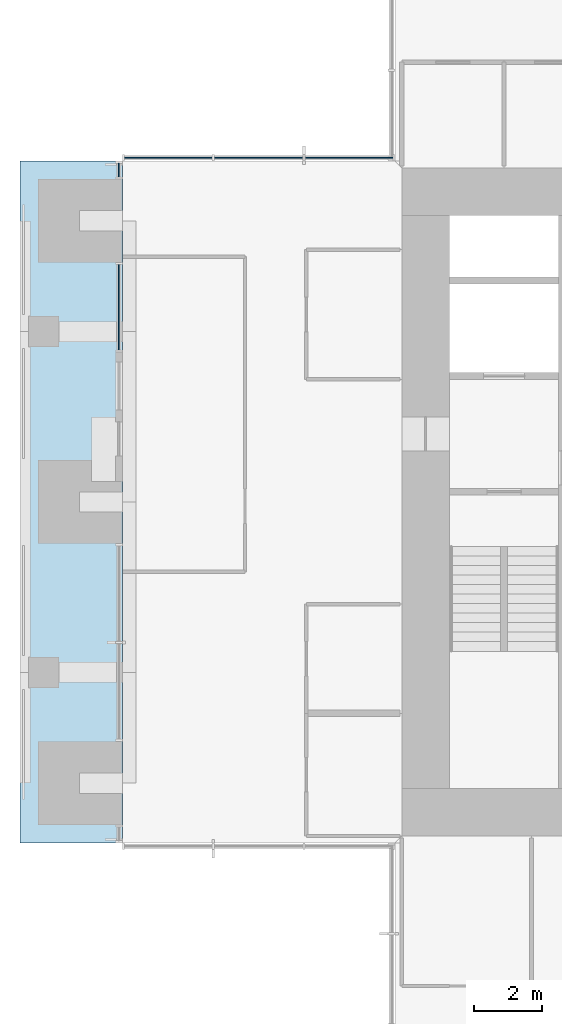
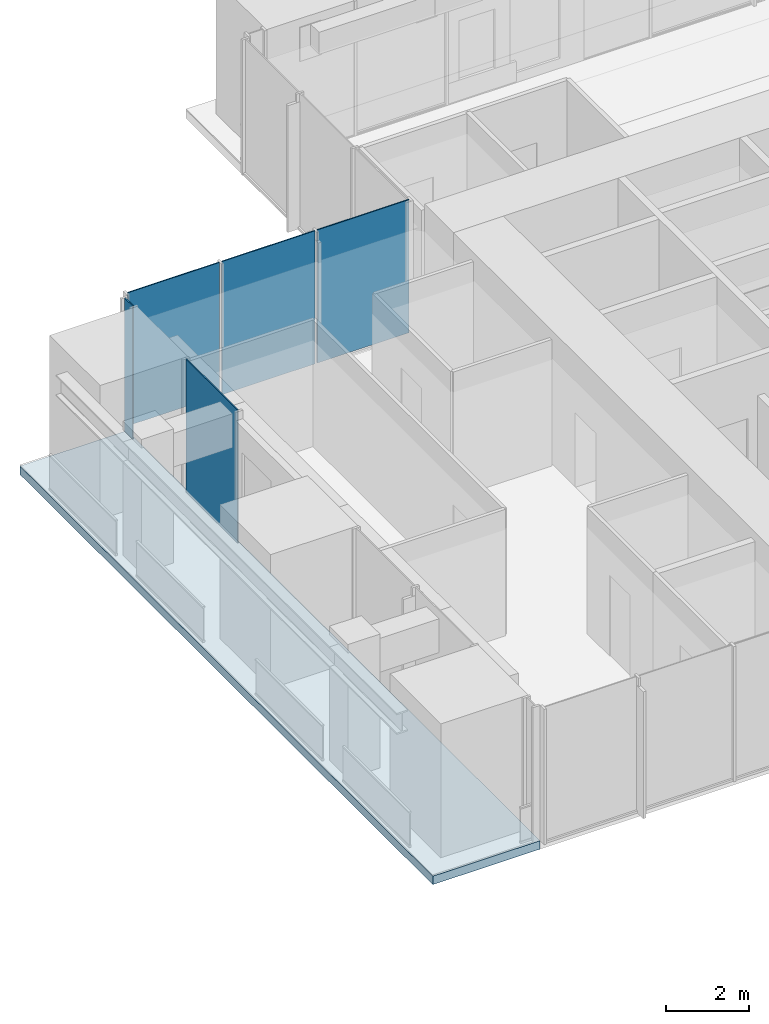
# One storey, part 8 of 17: 5 plates, 1 slab, 3 elements without a shape of their own.
"""IFC4 building model written with IfcOpenShell, lengths in metres."""

import ifcopenshell
import ifcopenshell.guid

model = None  # the IFC model being written
_history = None  # IfcOwnerHistory: only IFC2X3 demands one
_inside = {}  # id of a spatial element -> (the spatial element, [elements in it])
_under = {}  # id of a project, library or spatial element -> (it, [spatial elements below it])
_declared = {}  # id of a project -> (the project, [libraries it declares])
_typed = {}  # id of a type object -> (the type object, [elements of that type])
_made_of = {}  # id of a material, layer set ... -> (it, [elements and type objects made of it])


def new_model(schema):
    """Start an empty IFC model of exactly this schema.

    Asked for "IFC4X3", IfcOpenShell would pick the latest addendum, in which some entities
    have other attributes; the version numbers below select the first issue.
    IFC2X3 requires an IfcOwnerHistory on every rooted entity: one is made here for all.
    """
    global model, _history
    if schema == "IFC4X3":
        model = ifcopenshell.file(schema_version=(4, 3, 0, 0))
    else:
        model = ifcopenshell.file(schema=schema)
    _inside.clear()
    _under.clear()
    _declared.clear()
    _typed.clear()
    _made_of.clear()
    _history = None
    if model.schema == "IFC2X3":
        org = make("IfcOrganization", Name="unknown")
        user = make(
            "IfcPersonAndOrganization",
            ThePerson=make("IfcPerson", FamilyName="unknown"),
            TheOrganization=org,
        )
        app = make(
            "IfcApplication",
            ApplicationDeveloper=org,
            Version="unknown",
            ApplicationFullName="unknown",
            ApplicationIdentifier="unknown",
        )
        _history = make(
            "IfcOwnerHistory",
            OwningUser=user,
            OwningApplication=app,
            ChangeAction="ADDED",
            CreationDate=0,
        )
    return model


def make(cls, **values):
    """One entity of the class cls with the attributes given. An attribute that is None is left unset."""
    return model.create_entity(
        cls, **{name: value for name, value in values.items() if value is not None}
    )


def rooted(cls, **values):
    """An entity with a GlobalId (a new one), such as an element, a storey or a relation."""
    return make(cls, GlobalId=ifcopenshell.guid.new(), OwnerHistory=_history, **values)


def si_unit(unit_type, name, prefix=None):
    """IfcSIUnit, for example si_unit("LENGTHUNIT", "METRE", prefix="MILLI")."""
    return make("IfcSIUnit", UnitType=unit_type, Prefix=prefix, Name=name)


def assignment(units):
    """IfcUnitAssignment: the units of a project."""
    return None if units is None else make("IfcUnitAssignment", Units=units)


def point(xyz):
    """IfcCartesianPoint."""
    return None if xyz is None else make("IfcCartesianPoint", Coordinates=xyz)


def direction(xyz):
    """IfcDirection."""
    return None if xyz is None else make("IfcDirection", DirectionRatios=xyz)


def frame(location, z_axis=None, x_axis=None):
    """IfcAxis2Placement3D, a coordinate frame: its origin and axes. An axis left out is left unset."""
    return make(
        "IfcAxis2Placement3D",
        Location=point(location),
        Axis=direction(z_axis),
        RefDirection=direction(x_axis),
    )


def frame_2d(location, x_axis=None):
    """IfcAxis2Placement2D, a coordinate frame in the plane: its origin and x axis."""
    return make(
        "IfcAxis2Placement2D", Location=point(location), RefDirection=direction(x_axis)
    )


def origin():
    """The frame at (0, 0, 0) with its axes left unset."""
    return frame((0.0, 0.0, 0.0))


def origin_2d():
    """The frame at (0, 0) in the plane with its x axis left unset."""
    return frame_2d((0.0, 0.0))


def place(relative_to, where):
    """IfcLocalPlacement: puts the frame where relative to a parent placement (None: the world)."""
    return make(
        "IfcLocalPlacement", PlacementRelTo=relative_to, RelativePlacement=where
    )


def context(
    kind, dimensions, precision=None, world=None, true_north=None, identifier=None
):
    """IfcGeometricRepresentationContext, for example the 3D "Model" context."""
    return make(
        "IfcGeometricRepresentationContext",
        ContextIdentifier=identifier,
        ContextType=kind,
        CoordinateSpaceDimension=dimensions,
        Precision=precision,
        WorldCoordinateSystem=world,
        TrueNorth=true_north,
    )


def subcontext(parent, identifier, kind, view, scale=None):
    """IfcGeometricRepresentationSubContext, for example "Body" below "Model"."""
    return make(
        "IfcGeometricRepresentationSubContext",
        ContextIdentifier=identifier,
        ContextType=kind,
        ParentContext=parent,
        TargetScale=scale,
        TargetView=view,
    )


def project(units=None, contexts=None):
    """IfcProject with its units and contexts."""
    return rooted(
        "IfcProject",
        Name="project",
        RepresentationContexts=contexts,
        UnitsInContext=assignment(units),
    )


def spatial(cls, under=None, at=None, **own):
    """A site, building, storey or space (cls), placed at a placement, below another one or the project."""
    s = rooted(cls, ObjectPlacement=at, **own)
    if under is not None:
        _under.setdefault(under.id(), (under, []))[1].append(s)
    return s


def polyline(points):
    """IfcPolyline through the points."""
    return make("IfcPolyline", Points=[point(p) for p in points])


def profile(cls, at=None, kind="AREA", **sizes):
    """A parametric profile (cls). Its sizes go by their IFC names, for example OverallWidth=200.0."""
    return make(cls, ProfileType=kind, Position=at, **sizes)


def rectangle(**sizes):
    """IfcRectangleProfileDef."""
    return profile("IfcRectangleProfileDef", **sizes)


def outline(outer, holes=None, kind="AREA"):
    """IfcArbitraryClosedProfileDef: a profile drawn as a closed curve; with holes, ...WithVoids."""
    if holes is None:
        return make("IfcArbitraryClosedProfileDef", ProfileType=kind, OuterCurve=outer)
    return make(
        "IfcArbitraryProfileDefWithVoids",
        ProfileType=kind,
        OuterCurve=outer,
        InnerCurves=holes,
    )


def extrude(swept, where, along, depth):
    """IfcExtrudedAreaSolid: the profile swept, set in the frame where, extruded along a direction by depth."""
    return make(
        "IfcExtrudedAreaSolid",
        SweptArea=swept,
        Position=where,
        ExtrudedDirection=direction(along),
        Depth=depth,
    )


def shape(context_of_items, identifier, shape_type, items):
    """IfcShapeRepresentation: the items that make up one representation, for example the "Body"."""
    return make(
        "IfcShapeRepresentation",
        ContextOfItems=context_of_items,
        RepresentationIdentifier=identifier,
        RepresentationType=shape_type,
        Items=items,
    )


def material(Name=None, Category=None):
    """IfcMaterial."""
    return make("IfcMaterial", Name=Name, Category=Category)


def layer(
    of_material, thickness, ventilated=None, Name=None, Category=None, Priority=None
):
    """IfcMaterialLayer: one layer of a wall or slab, of a material (None: an air gap)."""
    return make(
        "IfcMaterialLayer",
        Material=of_material,
        LayerThickness=thickness,
        IsVentilated=ventilated,
        Name=Name,
        Category=Category,
        Priority=Priority,
    )


def layer_set(layers, Name=None):
    """IfcMaterialLayerSet."""
    return make("IfcMaterialLayerSet", MaterialLayers=layers, LayerSetName=Name)


def made_of(thing, what):
    """Note that an element or type object is made of a material, layer set ...; save() writes the relation."""
    if what is not None:
        _made_of.setdefault(what.id(), (what, []))[1].append(thing)
    return thing


def type_object(cls, material=None, **own):
    """A type object (cls), such as IfcWallType, which elements share."""
    return made_of(rooted(cls, **own), material)


def element(
    cls,
    number,
    at=None,
    inside=None,
    cuts=None,
    type_object=None,
    material=None,
    context=None,
    identifier="Body",
    shape_type=None,
    held_by="IfcProductDefinitionShape",
    body=None,
    shapes=None,
    **own,
):
    """One element of the class cls, such as IfcWall. Its Tag is "e" and its number.

    at: its placement. inside: the storey or other place that contains it. cuts: it is an
    opening in that element (IfcRelVoidsElement). A single representation is given by context,
    identifier, shape_type and body (its items); several are given by shapes. held_by: the class
    of the entity that holds the representations. save() writes the other relations.
    """
    e = rooted(cls, Tag="e%d" % number, ObjectPlacement=at, **own)
    if body is not None:
        shapes = [shape(context, identifier, shape_type, body)]
    if shapes is not None:
        e.Representation = make(held_by, Representations=shapes)
    if inside is not None:
        _inside.setdefault(inside.id(), (inside, []))[1].append(e)
    if cuts is not None:
        rooted(
            "IfcRelVoidsElement", RelatingBuildingElement=cuts, RelatedOpeningElement=e
        )
    if type_object is not None:
        _typed.setdefault(type_object.id(), (type_object, []))[1].append(e)
    return made_of(e, material)


def aggregate(whole, parts):
    """IfcRelAggregates: a whole, such as a stair, and the parts it consists of."""
    return rooted("IfcRelAggregates", RelatingObject=whole, RelatedObjects=parts)


def save(model, path):
    """Write the relations noted so far, then the file.

    IfcRelAggregates (storeys below a building ...), IfcRelContainedInSpatialStructure (elements
    in a storey), IfcRelDefinesByType, IfcRelAssociatesMaterial and IfcRelDeclares: one each for
    every whole, place, type object, material and project.
    """
    for whole, parts in _under.values():
        aggregate(whole, parts)
    for where, things in _inside.values():
        rooted(
            "IfcRelContainedInSpatialStructure",
            RelatedElements=things,
            RelatingStructure=where,
        )
    for kind, things in _typed.values():
        rooted("IfcRelDefinesByType", RelatedObjects=things, RelatingType=kind)
    for what, things in _made_of.values():
        rooted("IfcRelAssociatesMaterial", RelatedObjects=things, RelatingMaterial=what)
    for by, libraries in _declared.values():
        rooted("IfcRelDeclares", RelatingContext=by, RelatedDefinitions=libraries)
    model.write(path)


model = new_model("IFC4")

# Units and contexts
model_context = context("Model", 3, precision=1e-05, world=origin(), true_north=direction((0.0, 1.0)))
body_context = subcontext(model_context, "Body", "Model", "MODEL_VIEW")
ifc_project = project(units=[si_unit("LENGTHUNIT", "METRE"), si_unit("AREAUNIT", "SQUARE_METRE"), si_unit("VOLUMEUNIT", "CUBIC_METRE"), si_unit("PLANEANGLEUNIT", "RADIAN"), si_unit("MASSUNIT", "GRAM", prefix="KILO")], contexts=[model_context])

# Site, building, storey
site_placement = place(None, origin())
site = spatial("IfcSite", under=ifc_project, at=site_placement, CompositionType="ELEMENT")
building_placement = place(site_placement, origin())
building = spatial("IfcBuilding", under=site, at=building_placement, Name="Svetlomir Tower", CompositionType="ELEMENT")
storey_placement = place(building_placement, frame((0.0, 0.0, 206.5)))
storey = spatial("IfcBuildingStorey", under=building, at=storey_placement, Name="L49", CompositionType="ELEMENT", Elevation=206.5)

# Curtain wall, plates
ifc_material_1 = material(Name="Bronze anodised aluminium curtain wall", Category="aluminium")
curtain_wall_type = type_object("IfcCurtainWallType", Name="CURTAIN WALL CW1 TOWER OFFICE", PredefinedType="NOTDEFINED", material=ifc_material_1)
curtain_wall_1_placement = place(storey_placement, origin())
curtain_wall_1 = element("IfcCurtainWall", 1, at=curtain_wall_1_placement, inside=storey, type_object=curtain_wall_type, Name="Curtain wall CW1 L49", PredefinedType="NOTDEFINED")
ifc_material_2 = material(Name="Tinted double glazed unit", Category="glass")
ifc_layer_1 = layer(ifc_material_2, 0.031982421875)
ifc_layer_set_1 = layer_set([ifc_layer_1], Name="Tinted double glazed unit")
plate_type = type_object("IfcPlateType", Name="CW1 GLAZED PANEL 32", PredefinedType="CURTAIN_PANEL", material=ifc_layer_set_1)
plate_1_placement = place(storey_placement, frame((9.650390625, 31.10009765625, 0.06494140625), z_axis=(0.0, 0.0, 1.0), x_axis=(-1.0, 0.0, 0.0)))
plate_1 = element("IfcPlate", 2, at=plate_1_placement, type_object=plate_type, Name="CW1 panel 1.1", PredefinedType="CURTAIN_PANEL", context=body_context, shape_type="SweptSolid", body=[
    extrude(rectangle(XDim=2.569091796875, YDim=0.031982421875, at=origin_2d()), origin(), (0.0, 0.0, 1.0), 3.93505859375),
])
plate_2_placement = place(storey_placement, frame((7.0, 31.10009765625, 0.06494140625), z_axis=(0.0, 0.0, 1.0), x_axis=(-1.0, 0.0, 0.0)))
plate_2 = element("IfcPlate", 3, at=plate_2_placement, type_object=plate_type, Name="CW1 panel 2.1", PredefinedType="CURTAIN_PANEL", context=body_context, shape_type="SweptSolid", body=[
    extrude(rectangle(XDim=2.6015625, YDim=0.031982421875, at=origin_2d()), origin(), (0.0, 0.0, 1.0), 3.93505859375),
])
plate_3_placement = place(storey_placement, frame((4.349609375, 31.10009765625, 0.06494140625), z_axis=(0.0, 0.0, 1.0), x_axis=(-1.0, 0.0, 0.0)))
plate_3 = element("IfcPlate", 4, at=plate_3_placement, type_object=plate_type, Name="CW1 panel 3.1", PredefinedType="CURTAIN_PANEL", context=body_context, shape_type="SweptSolid", body=[
    extrude(rectangle(XDim=2.569091796875, YDim=0.031982421875, at=origin_2d()), origin(), (0.0, 0.0, 1.0), 3.93505859375),
])
aggregate(curtain_wall_1, [plate_1, plate_2, plate_3])

# Curtain wall, plate
curtain_wall_2_placement = place(storey_placement, origin())
curtain_wall_2 = element("IfcCurtainWall", 5, at=curtain_wall_2_placement, inside=storey, type_object=curtain_wall_type, Name="Curtain wall CW1 L49", PredefinedType="NOTDEFINED")
plate_4_placement = place(storey_placement, frame((2.89990234375, 30.737548828125, 0.06494140625), z_axis=(0.0, 0.0, 1.0), x_axis=(0.0, -1.0, 0.0)))
plate_4 = element("IfcPlate", 6, at=plate_4_placement, type_object=plate_type, Name="CW1 panel 1.1", PredefinedType="CURTAIN_PANEL", context=body_context, shape_type="SweptSolid", body=[
    extrude(rectangle(XDim=0.39501953125, YDim=0.031982421875, at=origin_2d()), origin(), (0.0, 0.0, 1.0), 3.93505859375),
])
aggregate(curtain_wall_2, [plate_4])

curtain_wall_3_placement = place(storey_placement, origin())
curtain_wall_3 = element("IfcCurtainWall", 7, at=curtain_wall_3_placement, inside=storey, type_object=curtain_wall_type, Name="Curtain wall CW1 L49", PredefinedType="NOTDEFINED")
plate_5_placement = place(storey_placement, frame((2.89990234375, 26.71240234375, 0.06494140625), z_axis=(0.0, 0.0, 1.0), x_axis=(0.0, -1.0, 0.0)))
plate_5 = element("IfcPlate", 8, at=plate_5_placement, type_object=plate_type, Name="CW1 panel 1.1", PredefinedType="CURTAIN_PANEL", context=body_context, shape_type="SweptSolid", body=[
    extrude(rectangle(XDim=2.4951171875, YDim=0.031982421875, at=origin_2d()), origin(), (0.0, 0.0, 1.0), 3.93505859375),
])
aggregate(curtain_wall_3, [plate_5])

# Slab
ifc_material_3 = material(Name="Concrete C60/75", Category="concrete")
ifc_layer_2 = layer(ifc_material_3, 0.25)
ifc_layer_set_2 = layer_set([ifc_layer_2], Name="Concrete C60/75")
slab_type = type_object("IfcSlabType", Name="PLANTED LOGGIA SLAB 250", PredefinedType="FLOOR", material=ifc_layer_set_2)
slab_placement = place(storey_placement, frame((0.0, 0.0, -0.25)))
element("IfcSlab", 9, at=slab_placement, inside=storey, type_object=slab_type, Name="L49 W planted loggia", PredefinedType="FLOOR", context=body_context, shape_type="SweptSolid", body=[
    extrude(outline(polyline([(0.0, 11.0), (3.0, 11.0), (3.0, 31.0), (0.0, 31.0), (0.0, 11.0)])), origin(), (0.0, 0.0, 1.0), 0.25),
])

save(model, "model.ifc")
